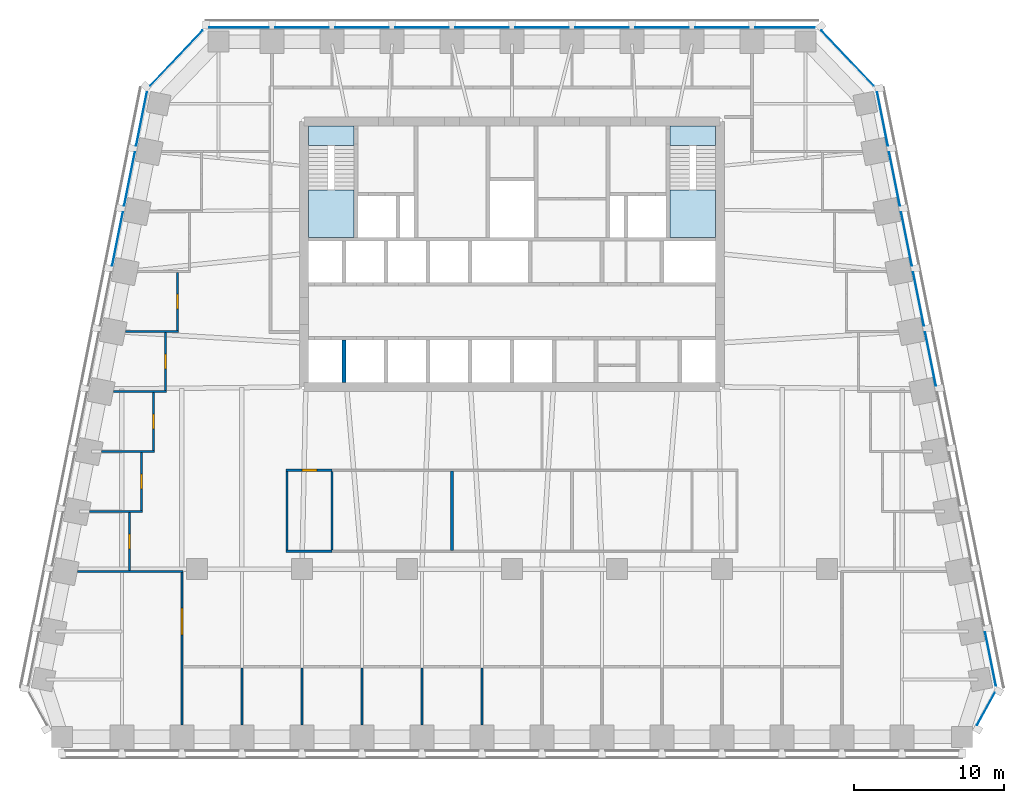
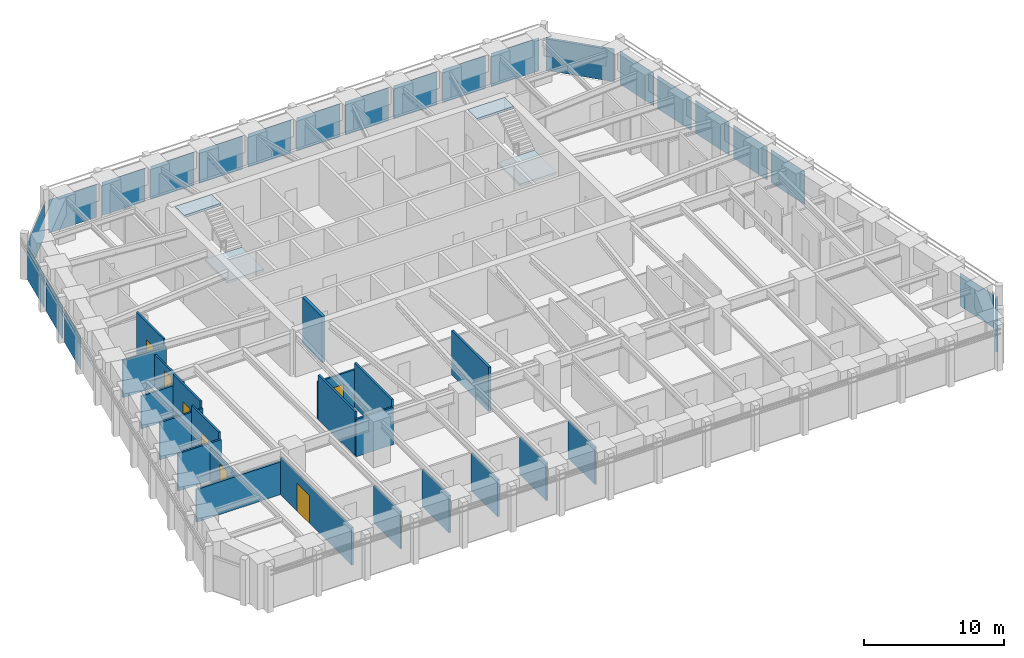
# One storey, part 5 of 11: 22 plates, 22 walls, 7 doors, 4 slabs, 7 openings, 8 elements without a shape of their own.
"""IFC4 building model written with IfcOpenShell, lengths in metres."""

from ifc_helpers import new_model, si_unit, direction, frame, frame_2d, origin, origin_2d, place, context, subcontext, project, spatial, polyline, rectangle, outline, extrude, material, layer, layer_set, type_object, element, fill, aggregate, save


model = new_model("IFC4")

# Units and contexts
model_context = context("Model", 3, precision=1e-05, world=origin(), true_north=direction((0.0, 1.0)))
body_context = subcontext(model_context, "Body", "Model", "MODEL_VIEW")
ifc_project = project(units=[si_unit("LENGTHUNIT", "METRE"), si_unit("AREAUNIT", "SQUARE_METRE"), si_unit("VOLUMEUNIT", "CUBIC_METRE"), si_unit("PLANEANGLEUNIT", "RADIAN"), si_unit("MASSUNIT", "GRAM", prefix="KILO")], contexts=[model_context])

# Site, building, storey
site_placement = place(None, origin())
site = spatial("IfcSite", under=ifc_project, at=site_placement, CompositionType="ELEMENT")
building_placement = place(site_placement, origin())
building = spatial("IfcBuilding", under=site, at=building_placement, Name="Isbrekke Arena Tower", CompositionType="ELEMENT")
storey_placement = place(building_placement, frame((0.0, 0.0, 210.0)))
storey = spatial("IfcBuildingStorey", under=building, at=storey_placement, Name="L48", CompositionType="ELEMENT", Elevation=210.0)

# Curtain wall, plate
ifc_material_1 = material(Name="Glazed aluminium curtain wall", Category="aluminium")
curtain_wall_type = type_object("IfcCurtainWallType", Name="CWH TOWER CURTAIN WALL HIGH ZONE", PredefinedType="USERDEFINED", material=ifc_material_1)
curtain_wall_1_placement = place(storey_placement, origin())
curtain_wall_1 = element("IfcCurtainWall", 1, at=curtain_wall_1_placement, inside=storey, type_object=curtain_wall_type, Name="CWH curtain wall L48-SE", ObjectType="TOWER CURTAIN WALL HIGH ZONE", PredefinedType="USERDEFINED")
ifc_material_2 = material(Name="Triple-glazed clear glass unit", Category="glass")
ifc_layer_1 = layer(ifc_material_2, 0.031982421875)
ifc_layer_set_1 = layer_set([ifc_layer_1], Name="CWH-P VISION PANEL")
plate_type = type_object("IfcPlateType", Name="CWH-P VISION PANEL", PredefinedType="CURTAIN_PANEL", material=ifc_layer_set_1)
plate_1_placement = place(storey_placement, frame((31.5908203125, -15.3154296875, 0.02001953125), z_axis=(0.0, 0.0, 1.0), x_axis=(0.481918749773, 0.876215908676, 0.0)))
plate_1 = element("IfcPlate", 2, at=plate_1_placement, type_object=plate_type, Name="CWH-P panel 1", PredefinedType="CURTAIN_PANEL", context=body_context, shape_type="SweptSolid", body=[
    extrude(rectangle(XDim=2.4423828125, YDim=0.031982421875, at=origin_2d()), origin(), (0.0, 0.0, 1.0), 2.8798828125),
])
aggregate(curtain_wall_1, [plate_1])

# Curtain wall, plates
curtain_wall_2_placement = place(storey_placement, origin())
curtain_wall_2 = element("IfcCurtainWall", 3, at=curtain_wall_2_placement, inside=storey, type_object=curtain_wall_type, Name="CWH curtain wall L48-E", ObjectType="TOWER CURTAIN WALL HIGH ZONE", PredefinedType="USERDEFINED")
plate_2_placement = place(storey_placement, frame((31.89794921875, -11.98046875, 0.02001953125), z_axis=(0.0, 0.0, 1.0), x_axis=(-0.196116135138, 0.980580675691, 0.0)))
plate_2 = element("IfcPlate", 4, at=plate_2_placement, type_object=plate_type, Name="CWH-P panel 1", PredefinedType="CURTAIN_PANEL", context=body_context, shape_type="SweptSolid", body=[
    extrude(rectangle(XDim=3.629150390625, YDim=0.031982421875, at=origin_2d()), origin(), (0.0, 0.0, 1.0), 2.8798828125),
])
plate_3_placement = place(storey_placement, frame((27.89794921875, 8.01953125, 0.02001953125), z_axis=(0.0, 0.0, 1.0), x_axis=(-0.196116135138, 0.980580675691, 0.0)))
plate_3 = element("IfcPlate", 5, at=plate_3_placement, type_object=plate_type, Name="CWH-P panel 6", PredefinedType="CURTAIN_PANEL", context=body_context, shape_type="SweptSolid", body=[
    extrude(rectangle(XDim=3.629150390625, YDim=0.031982421875, at=origin_2d()), origin(), (0.0, 0.0, 1.0), 2.8798828125),
])
plate_4_placement = place(storey_placement, frame((27.09814453125, 12.01953125, 0.02001953125), z_axis=(0.0, 0.0, 1.0), x_axis=(-0.196116135138, 0.980580675691, 0.0)))
plate_4 = element("IfcPlate", 6, at=plate_4_placement, type_object=plate_type, Name="CWH-P panel 7", PredefinedType="CURTAIN_PANEL", context=body_context, shape_type="SweptSolid", body=[
    extrude(rectangle(XDim=3.629150390625, YDim=0.031982421875, at=origin_2d()), origin(), (0.0, 0.0, 1.0), 2.8798828125),
])
plate_5_placement = place(storey_placement, frame((26.298095703125, 16.01953125, 0.02001953125), z_axis=(0.0, 0.0, 1.0), x_axis=(-0.196116135138, 0.980580675691, 0.0)))
plate_5 = element("IfcPlate", 7, at=plate_5_placement, type_object=plate_type, Name="CWH-P panel 8", PredefinedType="CURTAIN_PANEL", context=body_context, shape_type="SweptSolid", body=[
    extrude(rectangle(XDim=3.629150390625, YDim=0.031982421875, at=origin_2d()), origin(), (0.0, 0.0, 1.0), 2.8798828125),
])
plate_6_placement = place(storey_placement, frame((25.498046875, 20.01953125, 0.02001953125), z_axis=(0.0, 0.0, 1.0), x_axis=(-0.196116135138, 0.980580675691, 0.0)))
plate_6 = element("IfcPlate", 8, at=plate_6_placement, type_object=plate_type, Name="CWH-P panel 9", PredefinedType="CURTAIN_PANEL", context=body_context, shape_type="SweptSolid", body=[
    extrude(rectangle(XDim=3.629150390625, YDim=0.031982421875, at=origin_2d()), origin(), (0.0, 0.0, 1.0), 2.8798828125),
])
plate_7_placement = place(storey_placement, frame((24.697998046875, 24.01953125, 0.02001953125), z_axis=(0.0, 0.0, 1.0), x_axis=(-0.196116135138, 0.980580675691, 0.0)))
plate_7 = element("IfcPlate", 9, at=plate_7_placement, type_object=plate_type, Name="CWH-P panel 10", PredefinedType="CURTAIN_PANEL", context=body_context, shape_type="SweptSolid", body=[
    extrude(rectangle(XDim=3.629150390625, YDim=0.031982421875, at=origin_2d()), origin(), (0.0, 0.0, 1.0), 2.8798828125),
])
aggregate(curtain_wall_2, [plate_2, plate_3, plate_4, plate_5, plate_6, plate_7])

# Curtain wall, plate
curtain_wall_3_placement = place(storey_placement, origin())
curtain_wall_3 = element("IfcCurtainWall", 10, at=curtain_wall_3_placement, inside=storey, type_object=curtain_wall_type, Name="CWH curtain wall L48-EN", ObjectType="TOWER CURTAIN WALL HIGH ZONE", PredefinedType="USERDEFINED")
plate_8_placement = place(storey_placement, frame((22.37255859375, 28.06884765625, 0.02001953125), z_axis=(0.0, 0.0, 1.0), x_axis=(-0.68874946192, 0.72499943359, 0.0)))
plate_8 = element("IfcPlate", 11, at=plate_8_placement, type_object=plate_type, Name="CWH-P panel 1", PredefinedType="CURTAIN_PANEL", context=body_context, shape_type="SweptSolid", body=[
    extrude(rectangle(XDim=5.067138671875, YDim=0.031982421875, at=origin_2d()), origin(), (0.0, 0.0, 1.0), 2.8798828125),
])
aggregate(curtain_wall_3, [plate_8])

# Curtain wall, plates
curtain_wall_4_placement = place(storey_placement, origin())
curtain_wall_4 = element("IfcCurtainWall", 12, at=curtain_wall_4_placement, inside=storey, type_object=curtain_wall_type, Name="CWH curtain wall L48-N", ObjectType="TOWER CURTAIN WALL HIGH ZONE", PredefinedType="USERDEFINED")
plate_9_placement = place(storey_placement, frame((18.199951171875, 30.10009765625, 0.02001953125), z_axis=(0.0, 0.0, 1.0), x_axis=(-1.0, 0.0, 0.0)))
plate_9 = element("IfcPlate", 13, at=plate_9_placement, type_object=plate_type, Name="CWH-P panel 1", PredefinedType="CURTAIN_PANEL", context=body_context, shape_type="SweptSolid", body=[
    extrude(rectangle(XDim=3.949951171875, YDim=0.031982421875, at=origin_2d()), origin(), (0.0, 0.0, 1.0), 2.8798828125),
])
plate_10_placement = place(storey_placement, frame((14.0, 30.10009765625, 0.02001953125), z_axis=(0.0, 0.0, 1.0), x_axis=(-1.0, 0.0, 0.0)))
plate_10 = element("IfcPlate", 14, at=plate_10_placement, type_object=plate_type, Name="CWH-P panel 2", PredefinedType="CURTAIN_PANEL", context=body_context, shape_type="SweptSolid", body=[
    extrude(rectangle(XDim=3.550048828125, YDim=0.031982421875, at=origin_2d()), origin(), (0.0, 0.0, 1.0), 2.8798828125),
])
plate_11_placement = place(storey_placement, frame((10.0, 30.10009765625, 0.02001953125), z_axis=(0.0, 0.0, 1.0), x_axis=(-1.0, 0.0, 0.0)))
plate_11 = element("IfcPlate", 15, at=plate_11_placement, type_object=plate_type, Name="CWH-P panel 3", PredefinedType="CURTAIN_PANEL", context=body_context, shape_type="SweptSolid", body=[
    extrude(rectangle(XDim=3.550048828125, YDim=0.031982421875, at=origin_2d()), origin(), (0.0, 0.0, 1.0), 2.8798828125),
])
plate_12_placement = place(storey_placement, frame((6.0, 30.10009765625, 0.02001953125), z_axis=(0.0, 0.0, 1.0), x_axis=(-1.0, 0.0, 0.0)))
plate_12 = element("IfcPlate", 16, at=plate_12_placement, type_object=plate_type, Name="CWH-P panel 4", PredefinedType="CURTAIN_PANEL", context=body_context, shape_type="SweptSolid", body=[
    extrude(rectangle(XDim=3.550048828125, YDim=0.031982421875, at=origin_2d()), origin(), (0.0, 0.0, 1.0), 2.8798828125),
])
plate_13_placement = place(storey_placement, frame((2.0, 30.10009765625, 0.02001953125), z_axis=(0.0, 0.0, 1.0), x_axis=(-1.0, 0.0, 0.0)))
plate_13 = element("IfcPlate", 17, at=plate_13_placement, type_object=plate_type, Name="CWH-P panel 5", PredefinedType="CURTAIN_PANEL", context=body_context, shape_type="SweptSolid", body=[
    extrude(rectangle(XDim=3.550048828125, YDim=0.031982421875, at=origin_2d()), origin(), (0.0, 0.0, 1.0), 2.8798828125),
])
plate_14_placement = place(storey_placement, frame((-2.0, 30.10009765625, 0.02001953125), z_axis=(0.0, 0.0, 1.0), x_axis=(-1.0, 0.0, 0.0)))
plate_14 = element("IfcPlate", 18, at=plate_14_placement, type_object=plate_type, Name="CWH-P panel 6", PredefinedType="CURTAIN_PANEL", context=body_context, shape_type="SweptSolid", body=[
    extrude(rectangle(XDim=3.550048828125, YDim=0.031982421875, at=origin_2d()), origin(), (0.0, 0.0, 1.0), 2.8798828125),
])
plate_15_placement = place(storey_placement, frame((-6.0, 30.10009765625, 0.02001953125), z_axis=(0.0, 0.0, 1.0), x_axis=(-1.0, 0.0, 0.0)))
plate_15 = element("IfcPlate", 19, at=plate_15_placement, type_object=plate_type, Name="CWH-P panel 7", PredefinedType="CURTAIN_PANEL", context=body_context, shape_type="SweptSolid", body=[
    extrude(rectangle(XDim=3.550048828125, YDim=0.031982421875, at=origin_2d()), origin(), (0.0, 0.0, 1.0), 2.8798828125),
])
plate_16_placement = place(storey_placement, frame((-10.0, 30.10009765625, 0.02001953125), z_axis=(0.0, 0.0, 1.0), x_axis=(-1.0, 0.0, 0.0)))
plate_16 = element("IfcPlate", 20, at=plate_16_placement, type_object=plate_type, Name="CWH-P panel 8", PredefinedType="CURTAIN_PANEL", context=body_context, shape_type="SweptSolid", body=[
    extrude(rectangle(XDim=3.550048828125, YDim=0.031982421875, at=origin_2d()), origin(), (0.0, 0.0, 1.0), 2.8798828125),
])
plate_17_placement = place(storey_placement, frame((-14.0, 30.10009765625, 0.02001953125), z_axis=(0.0, 0.0, 1.0), x_axis=(-1.0, 0.0, 0.0)))
plate_17 = element("IfcPlate", 21, at=plate_17_placement, type_object=plate_type, Name="CWH-P panel 9", PredefinedType="CURTAIN_PANEL", context=body_context, shape_type="SweptSolid", body=[
    extrude(rectangle(XDim=3.550048828125, YDim=0.031982421875, at=origin_2d()), origin(), (0.0, 0.0, 1.0), 2.8798828125),
])
plate_18_placement = place(storey_placement, frame((-18.199951171875, 30.10009765625, 0.02001953125), z_axis=(0.0, 0.0, 1.0), x_axis=(-1.0, 0.0, 0.0)))
plate_18 = element("IfcPlate", 22, at=plate_18_placement, type_object=plate_type, Name="CWH-P panel 10", PredefinedType="CURTAIN_PANEL", context=body_context, shape_type="SweptSolid", body=[
    extrude(rectangle(XDim=3.949951171875, YDim=0.031982421875, at=origin_2d()), origin(), (0.0, 0.0, 1.0), 2.8798828125),
])
aggregate(curtain_wall_4, [plate_9, plate_10, plate_11, plate_12, plate_13, plate_14, plate_15, plate_16, plate_17, plate_18])

# Curtain wall, plate
curtain_wall_5_placement = place(storey_placement, origin())
curtain_wall_5 = element("IfcCurtainWall", 23, at=curtain_wall_5_placement, inside=storey, type_object=curtain_wall_type, Name="CWH curtain wall L48-NW", ObjectType="TOWER CURTAIN WALL HIGH ZONE", PredefinedType="USERDEFINED")
plate_19_placement = place(storey_placement, frame((-22.37255859375, 28.06884765625, 0.02001953125), z_axis=(0.0, 0.0, 1.0), x_axis=(-0.68874946192, -0.72499943359, 0.0)))
plate_19 = element("IfcPlate", 24, at=plate_19_placement, type_object=plate_type, Name="CWH-P panel 1", PredefinedType="CURTAIN_PANEL", context=body_context, shape_type="SweptSolid", body=[
    extrude(rectangle(XDim=5.067138671875, YDim=0.031982421875, at=origin_2d()), origin(), (0.0, 0.0, 1.0), 2.8798828125),
])
aggregate(curtain_wall_5, [plate_19])

# Curtain wall, plates
curtain_wall_6_placement = place(storey_placement, origin())
curtain_wall_6 = element("IfcCurtainWall", 25, at=curtain_wall_6_placement, inside=storey, type_object=curtain_wall_type, Name="CWH curtain wall L48-W", ObjectType="TOWER CURTAIN WALL HIGH ZONE", PredefinedType="USERDEFINED")
plate_20_placement = place(storey_placement, frame((-24.697998046875, 24.01953125, 0.02001953125), z_axis=(0.0, 0.0, 1.0), x_axis=(-0.196116135138, -0.980580675691, 0.0)))
plate_20 = element("IfcPlate", 26, at=plate_20_placement, type_object=plate_type, Name="CWH-P panel 1", PredefinedType="CURTAIN_PANEL", context=body_context, shape_type="SweptSolid", body=[
    extrude(rectangle(XDim=3.629150390625, YDim=0.031982421875, at=origin_2d()), origin(), (0.0, 0.0, 1.0), 2.8798828125),
])
plate_21_placement = place(storey_placement, frame((-25.498046875, 20.01953125, 0.02001953125), z_axis=(0.0, 0.0, 1.0), x_axis=(-0.196116135138, -0.980580675691, 0.0)))
plate_21 = element("IfcPlate", 27, at=plate_21_placement, type_object=plate_type, Name="CWH-P panel 2", PredefinedType="CURTAIN_PANEL", context=body_context, shape_type="SweptSolid", body=[
    extrude(rectangle(XDim=3.629150390625, YDim=0.031982421875, at=origin_2d()), origin(), (0.0, 0.0, 1.0), 2.8798828125),
])
plate_22_placement = place(storey_placement, frame((-26.298095703125, 16.01953125, 0.02001953125), z_axis=(0.0, 0.0, 1.0), x_axis=(-0.196116135138, -0.980580675691, 0.0)))
plate_22 = element("IfcPlate", 28, at=plate_22_placement, type_object=plate_type, Name="CWH-P panel 3", PredefinedType="CURTAIN_PANEL", context=body_context, shape_type="SweptSolid", body=[
    extrude(rectangle(XDim=3.629150390625, YDim=0.031982421875, at=origin_2d()), origin(), (0.0, 0.0, 1.0), 2.8798828125),
])
aggregate(curtain_wall_6, [plate_20, plate_21, plate_22])

# Stair, slabs
ifc_material_3 = material(Name="Concrete B45 (C45/55) precast", Category="concrete")
stair_type = type_object("IfcStairType", Name="ST40 STAIR 1300 WIDE, 24 RISERS 167", PredefinedType="HALF_TURN_STAIR", material=ifc_material_3)
stair_1_placement = place(storey_placement, origin())
stair_1 = element("IfcStair", 29, at=stair_1_placement, inside=storey, type_object=stair_type, Name="ST1 stair L48", PredefinedType="HALF_TURN_STAIR")
ifc_material_4 = material(Name="Concrete B35 (C35/45)", Category="concrete")
ifc_layer_2 = layer(ifc_material_4, 0.199951171875)
ifc_layer_set_2 = layer_set([ifc_layer_2], Name="SL1 STAIR LANDING 200")
slab_type = type_object("IfcSlabType", Name="SL1 STAIR LANDING 200", PredefinedType="LANDING", material=ifc_layer_set_2)
slab_1_placement = place(storey_placement, frame((0.0, 0.0, 1.800048828125)))
slab_1 = element("IfcSlab", 30, at=slab_1_placement, type_object=slab_type, Name="ST1 landing 1", PredefinedType="LANDING", context=body_context, shape_type="SweptSolid", body=[
    extrude(outline(polyline([(-13.550048828125, 16.125), (-10.52490234375, 16.125), (-10.52490234375, 19.280029296875), (-13.550048828125, 19.280029296875), (-13.550048828125, 16.125)])), origin(), (0.0, 0.0, 1.0), 0.199951171875),
])
slab_2_placement = place(storey_placement, frame((0.0, 0.0, 3.800048828125)))
slab_2 = element("IfcSlab", 31, at=slab_2_placement, type_object=slab_type, Name="ST1 landing 2", PredefinedType="LANDING", context=body_context, shape_type="SweptSolid", body=[
    extrude(outline(polyline([(-13.550048828125, 22.25), (-10.52490234375, 22.25), (-10.52490234375, 23.550048828125), (-13.550048828125, 23.550048828125), (-13.550048828125, 22.25)])), origin(), (0.0, 0.0, 1.0), 0.199951171875),
])
aggregate(stair_1, [slab_1, slab_2])

stair_2_placement = place(storey_placement, origin())
stair_2 = element("IfcStair", 32, at=stair_2_placement, inside=storey, type_object=stair_type, Name="ST2 stair L48", PredefinedType="HALF_TURN_STAIR")
slab_3_placement = place(storey_placement, frame((0.0, 0.0, 1.800048828125)))
slab_3 = element("IfcSlab", 33, at=slab_3_placement, type_object=slab_type, Name="ST2 landing 1", PredefinedType="LANDING", context=body_context, shape_type="SweptSolid", body=[
    extrude(outline(polyline([(10.52490234375, 16.125), (13.550048828125, 16.125), (13.550048828125, 19.280029296875), (10.52490234375, 19.280029296875), (10.52490234375, 16.125)])), origin(), (0.0, 0.0, 1.0), 0.199951171875),
])
slab_4_placement = place(storey_placement, frame((0.0, 0.0, 3.800048828125)))
slab_4 = element("IfcSlab", 34, at=slab_4_placement, type_object=slab_type, Name="ST2 landing 2", PredefinedType="LANDING", context=body_context, shape_type="SweptSolid", body=[
    extrude(outline(polyline([(10.52490234375, 22.25), (13.550048828125, 22.25), (13.550048828125, 23.550048828125), (10.52490234375, 23.550048828125), (10.52490234375, 22.25)])), origin(), (0.0, 0.0, 1.0), 0.199951171875),
])
aggregate(stair_2, [slab_3, slab_4])

# Walls
ifc_material_5 = material(Name="Concrete B45 (C45/55)", Category="concrete")
ifc_layer_3 = layer(ifc_material_5, 0.25)
ifc_layer_set_3 = layer_set([ifc_layer_3], Name="CW6 SHAFT WALL 250")
wall_type_1 = type_object("IfcWallType", Name="CW6 SHAFT WALL 250", PredefinedType="SHEAR", material=ifc_layer_set_3)
wall_1_placement = place(storey_placement, frame((-11.199951171875, 6.449951171875, 0.0), z_axis=(0.0, 0.0, 1.0), x_axis=(0.0, 1.0, 0.0)))
element("IfcWall", 35, at=wall_1_placement, inside=storey, type_object=wall_type_1, Name="Core wall SS01 L48", PredefinedType="SHEAR", context=body_context, shape_type="SweptSolid", body=[
    extrude(rectangle(XDim=2.824951171875, YDim=0.25, at=frame_2d((1.41259765625, 0.0))), origin(), (0.0, 0.0, 1.0), 4.0),
])
ifc_material_6 = material(Name="Gypsum board partition on steel studs", Category="steel")
ifc_layer_4 = layer(ifc_material_6, 0.14990234375)
ifc_layer_set_4 = layer_set([ifc_layer_4], Name="IW1 PARTITION 150")
wall_type_2 = type_object("IfcWallType", Name="IW1 PARTITION 150", PredefinedType="PARTITIONING", material=ifc_layer_set_4)
wall_2_placement = place(storey_placement, frame((-28.974853515625, -6.159912109375, 0.0), z_axis=(0.0, 0.0, 1.0), x_axis=(1.0, 0.0, 0.0)))
element("IfcWall", 36, at=wall_2_placement, inside=storey, type_object=wall_type_2, Name="IW1 partition 150 L48", PredefinedType="PARTITIONING", context=body_context, shape_type="SweptSolid", body=[
    extrude(rectangle(XDim=7.0498046875, YDim=0.14990234375, at=frame_2d((3.52490234375, 0.0))), origin(), (0.0, 0.0, 1.0), 2.842041015625),
])
wall_3_placement = place(storey_placement, frame((-15.074951171875, -4.800048828125, 0.0), z_axis=(0.0, 0.0, 1.0), x_axis=(1.0, 0.0, 0.0)))
element("IfcWall", 37, at=wall_3_placement, inside=storey, type_object=wall_type_2, Name="IW1 partition 150 L48", PredefinedType="PARTITIONING", context=body_context, shape_type="SweptSolid", body=[
    extrude(rectangle(XDim=3.074951171875, YDim=0.14990234375, at=frame_2d((1.53759765625, 0.0))), origin(), (0.0, 0.0, 1.0), 3.25),
])
wall_4_placement = place(storey_placement, frame((-28.1748046875, -2.159912109375, 0.0), z_axis=(0.0, 0.0, 1.0), x_axis=(1.0, 0.0, 0.0)))
element("IfcWall", 38, at=wall_4_placement, inside=storey, type_object=wall_type_2, Name="IW1 partition 150 L48", PredefinedType="PARTITIONING", context=body_context, shape_type="SweptSolid", body=[
    extrude(rectangle(XDim=3.5498046875, YDim=0.14990234375, at=frame_2d((1.77490234375, 0.0))), origin(), (0.0, 0.0, 1.0), 3.25),
])

# Wall, opening, door
wall_5_placement = place(storey_placement, frame((-15.074951171875, 0.60009765625, 0.0), z_axis=(0.0, 0.0, 1.0), x_axis=(1.0, 0.0, 0.0)))
wall_5 = element("IfcWall", 39, at=wall_5_placement, inside=storey, type_object=wall_type_2, Name="IW1 partition 150 L48", PredefinedType="PARTITIONING", context=body_context, shape_type="SweptSolid", body=[
    extrude(rectangle(XDim=3.074951171875, YDim=0.14990234375, at=frame_2d((1.53759765625, 0.0))), origin(), (0.0, 0.0, 1.0), 3.25),
])
opening_1_placement = place(wall_5_placement, frame((1.074951171875, 0.0, 0.0)))
opening_1 = element("IfcOpeningElement", 40, at=opening_1_placement, cuts=wall_5, Name="Opening D10", PredefinedType="OPENING", context=body_context, shape_type="SweptSolid", body=[
    extrude(rectangle(XDim=1.0, YDim=2.300048828125, at=frame_2d((0.5, 1.14990234375))), frame((0.0, 0.08984375, 0.0), z_axis=(0.0, -1.0, 0.0), x_axis=(1.0, 0.0, 0.0)), (0.0, 0.0, 1.0), 0.1796875),
])
ifc_material_7 = material(Name="Timber door", Category="wood")
door_type_1 = type_object("IfcDoorType", Name="D10 OFFICE DOOR 1000 x 2300", OperationType="SINGLE_SWING_LEFT", PredefinedType="DOOR", material=ifc_material_7)
door_1_placement = place(opening_1_placement, origin())
door_1 = element("IfcDoor", 41, at=door_1_placement, inside=storey, type_object=door_type_1, Name="D10 pantry door L48", OperationType="SINGLE_SWING_LEFT", OverallHeight=2.300048828125, OverallWidth=1.0, PredefinedType="DOOR", context=body_context, shape_type="SweptSolid", body=[
    extrude(rectangle(XDim=1.0, YDim=2.300048828125, at=frame_2d((0.5, 1.14990234375))), frame((0.0, 0.07470703125, 0.0), z_axis=(0.0, -1.0, 0.0), x_axis=(1.0, 0.0, 0.0)), (0.0, 0.0, 1.0), 0.1494140625),
])
fill(opening_1, door_1)

# Walls
wall_6_placement = place(storey_placement, frame((-27.374755859375, 1.840087890625, 0.0), z_axis=(0.0, 0.0, 1.0), x_axis=(1.0, 0.0, 0.0)))
element("IfcWall", 42, at=wall_6_placement, inside=storey, type_object=wall_type_2, Name="IW1 partition 150 L48", PredefinedType="PARTITIONING", context=body_context, shape_type="SweptSolid", body=[
    extrude(rectangle(XDim=3.5498046875, YDim=0.14990234375, at=frame_2d((1.77490234375, 0.0))), origin(), (0.0, 0.0, 1.0), 3.25),
])
wall_7_placement = place(storey_placement, frame((-26.57470703125, 5.840087890625, 0.0), z_axis=(0.0, 0.0, 1.0), x_axis=(1.0, 0.0, 0.0)))
element("IfcWall", 43, at=wall_7_placement, inside=storey, type_object=wall_type_2, Name="IW1 partition 150 L48", PredefinedType="PARTITIONING", context=body_context, shape_type="SweptSolid", body=[
    extrude(rectangle(XDim=3.5498046875, YDim=0.14990234375, at=frame_2d((1.77490234375, 0.0))), origin(), (0.0, 0.0, 1.0), 2.842041015625),
])
wall_8_placement = place(storey_placement, frame((-25.77490234375, 9.840087890625, 0.0), z_axis=(0.0, 0.0, 1.0), x_axis=(1.0, 0.0, 0.0)))
element("IfcWall", 44, at=wall_8_placement, inside=storey, type_object=wall_type_2, Name="IW1 partition 150 L48", PredefinedType="PARTITIONING", context=body_context, shape_type="SweptSolid", body=[
    extrude(rectangle(XDim=3.5498046875, YDim=0.14990234375, at=frame_2d((1.77490234375, 0.0))), origin(), (0.0, 0.0, 1.0), 3.25),
])

# Wall, opening, door
wall_9_placement = place(storey_placement, frame((-25.5, -6.0849609375, 0.0), z_axis=(0.0, 0.0, 1.0), x_axis=(0.0, 1.0, 0.0)))
wall_9 = element("IfcWall", 45, at=wall_9_placement, inside=storey, type_object=wall_type_2, Name="IW1 partition 150 L48", PredefinedType="PARTITIONING", context=body_context, shape_type="SweptSolid", body=[
    extrude(rectangle(XDim=3.849853515625, YDim=0.14990234375, at=frame_2d((1.9248046875, 0.0))), origin(), (0.0, 0.0, 1.0), 2.842041015625),
])
opening_2_placement = place(wall_9_placement, frame((1.425048828125, 0.0, 0.0)))
opening_2 = element("IfcOpeningElement", 46, at=opening_2_placement, cuts=wall_9, Name="Opening D10", PredefinedType="OPENING", context=body_context, shape_type="SweptSolid", body=[
    extrude(rectangle(XDim=1.0, YDim=2.300048828125, at=frame_2d((0.5, 1.14990234375))), frame((0.0, 0.08984375, 0.0), z_axis=(0.0, -1.0, 0.0), x_axis=(1.0, 0.0, 0.0)), (0.0, 0.0, 1.0), 0.1796875),
])
door_2_placement = place(opening_2_placement, origin())
door_2 = element("IfcDoor", 47, at=door_2_placement, inside=storey, type_object=door_type_1, Name="D10 office door L48", OperationType="SINGLE_SWING_LEFT", OverallHeight=2.300048828125, OverallWidth=1.0, PredefinedType="DOOR", context=body_context, shape_type="SweptSolid", body=[
    extrude(rectangle(XDim=1.0, YDim=2.300048828125, at=frame_2d((0.5, 1.14990234375))), frame((0.0, 0.07470703125, 0.0), z_axis=(0.0, -1.0, 0.0), x_axis=(1.0, 0.0, 0.0)), (0.0, 0.0, 1.0), 0.1494140625),
])
fill(opening_2, door_2)

wall_10_placement = place(storey_placement, frame((-24.699951171875, -2.0849609375, 0.0), z_axis=(0.0, 0.0, 1.0), x_axis=(0.0, 1.0, 0.0)))
wall_10 = element("IfcWall", 48, at=wall_10_placement, inside=storey, type_object=wall_type_2, Name="IW1 partition 150 L48", PredefinedType="PARTITIONING", context=body_context, shape_type="SweptSolid", body=[
    extrude(rectangle(XDim=3.849853515625, YDim=0.14990234375, at=frame_2d((1.9248046875, 0.0))), origin(), (0.0, 0.0, 1.0), 3.85009765625),
])
opening_3_placement = place(wall_10_placement, frame((1.425048828125, 0.0, 0.0)))
opening_3 = element("IfcOpeningElement", 49, at=opening_3_placement, cuts=wall_10, Name="Opening D10", PredefinedType="OPENING", context=body_context, shape_type="SweptSolid", body=[
    extrude(rectangle(XDim=1.0, YDim=2.300048828125, at=frame_2d((0.5, 1.14990234375))), frame((0.0, 0.08984375, 0.0), z_axis=(0.0, -1.0, 0.0), x_axis=(1.0, 0.0, 0.0)), (0.0, 0.0, 1.0), 0.1796875),
])
door_3_placement = place(opening_3_placement, origin())
door_3 = element("IfcDoor", 50, at=door_3_placement, inside=storey, type_object=door_type_1, Name="D10 office door L48", OperationType="SINGLE_SWING_LEFT", OverallHeight=2.300048828125, OverallWidth=1.0, PredefinedType="DOOR", context=body_context, shape_type="SweptSolid", body=[
    extrude(rectangle(XDim=1.0, YDim=2.300048828125, at=frame_2d((0.5, 1.14990234375))), frame((0.0, 0.07470703125, 0.0), z_axis=(0.0, -1.0, 0.0), x_axis=(1.0, 0.0, 0.0)), (0.0, 0.0, 1.0), 0.1494140625),
])
fill(opening_3, door_3)

wall_11_placement = place(storey_placement, frame((-23.89990234375, 1.9150390625, 0.0), z_axis=(0.0, 0.0, 1.0), x_axis=(0.0, 1.0, 0.0)))
wall_11 = element("IfcWall", 51, at=wall_11_placement, inside=storey, type_object=wall_type_2, Name="IW1 partition 150 L48", PredefinedType="PARTITIONING", context=body_context, shape_type="SweptSolid", body=[
    extrude(rectangle(XDim=3.849853515625, YDim=0.14990234375, at=frame_2d((1.9248046875, 0.0))), origin(), (0.0, 0.0, 1.0), 3.85009765625),
])
opening_4_placement = place(wall_11_placement, frame((1.425048828125, 0.0, 0.0)))
opening_4 = element("IfcOpeningElement", 52, at=opening_4_placement, cuts=wall_11, Name="Opening D10", PredefinedType="OPENING", context=body_context, shape_type="SweptSolid", body=[
    extrude(rectangle(XDim=1.0, YDim=2.300048828125, at=frame_2d((0.5, 1.14990234375))), frame((0.0, 0.08984375, 0.0), z_axis=(0.0, -1.0, 0.0), x_axis=(1.0, 0.0, 0.0)), (0.0, 0.0, 1.0), 0.1796875),
])
door_4_placement = place(opening_4_placement, origin())
door_4 = element("IfcDoor", 53, at=door_4_placement, inside=storey, type_object=door_type_1, Name="D10 office door L48", OperationType="SINGLE_SWING_LEFT", OverallHeight=2.300048828125, OverallWidth=1.0, PredefinedType="DOOR", context=body_context, shape_type="SweptSolid", body=[
    extrude(rectangle(XDim=1.0, YDim=2.300048828125, at=frame_2d((0.5, 1.14990234375))), frame((0.0, 0.07470703125, 0.0), z_axis=(0.0, -1.0, 0.0), x_axis=(1.0, 0.0, 0.0)), (0.0, 0.0, 1.0), 0.1494140625),
])
fill(opening_4, door_4)

wall_12_placement = place(storey_placement, frame((-23.10009765625, 5.9150390625, 0.0), z_axis=(0.0, 0.0, 1.0), x_axis=(0.0, 1.0, 0.0)))
wall_12 = element("IfcWall", 54, at=wall_12_placement, inside=storey, type_object=wall_type_2, Name="IW1 partition 150 L48", PredefinedType="PARTITIONING", context=body_context, shape_type="SweptSolid", body=[
    extrude(rectangle(XDim=3.849853515625, YDim=0.14990234375, at=frame_2d((1.9248046875, 0.0))), origin(), (0.0, 0.0, 1.0), 2.842041015625),
])
opening_5_placement = place(wall_12_placement, frame((1.425048828125, 0.0, 0.0)))
opening_5 = element("IfcOpeningElement", 55, at=opening_5_placement, cuts=wall_12, Name="Opening D10", PredefinedType="OPENING", context=body_context, shape_type="SweptSolid", body=[
    extrude(rectangle(XDim=1.0, YDim=2.300048828125, at=frame_2d((0.5, 1.14990234375))), frame((0.0, 0.08984375, 0.0), z_axis=(0.0, -1.0, 0.0), x_axis=(1.0, 0.0, 0.0)), (0.0, 0.0, 1.0), 0.1796875),
])
door_5_placement = place(opening_5_placement, origin())
door_5 = element("IfcDoor", 56, at=door_5_placement, inside=storey, type_object=door_type_1, Name="D10 office door L48", OperationType="SINGLE_SWING_LEFT", OverallHeight=2.300048828125, OverallWidth=1.0, PredefinedType="DOOR", context=body_context, shape_type="SweptSolid", body=[
    extrude(rectangle(XDim=1.0, YDim=2.300048828125, at=frame_2d((0.5, 1.14990234375))), frame((0.0, 0.07470703125, 0.0), z_axis=(0.0, -1.0, 0.0), x_axis=(1.0, 0.0, 0.0)), (0.0, 0.0, 1.0), 0.1494140625),
])
fill(opening_5, door_5)

wall_13_placement = place(storey_placement, frame((-22.300048828125, 9.9150390625, 0.0), z_axis=(0.0, 0.0, 1.0), x_axis=(0.0, 1.0, 0.0)))
wall_13 = element("IfcWall", 57, at=wall_13_placement, inside=storey, type_object=wall_type_2, Name="IW1 partition 150 L48", PredefinedType="PARTITIONING", context=body_context, shape_type="SweptSolid", body=[
    extrude(rectangle(XDim=3.849853515625, YDim=0.14990234375, at=frame_2d((1.9248046875, 0.0))), origin(), (0.0, 0.0, 1.0), 3.85009765625),
])
opening_6_placement = place(wall_13_placement, frame((1.425048828125, 0.0, 0.0)))
opening_6 = element("IfcOpeningElement", 58, at=opening_6_placement, cuts=wall_13, Name="Opening D10", PredefinedType="OPENING", context=body_context, shape_type="SweptSolid", body=[
    extrude(rectangle(XDim=1.0, YDim=2.300048828125, at=frame_2d((0.5, 1.14990234375))), frame((0.0, 0.08984375, 0.0), z_axis=(0.0, -1.0, 0.0), x_axis=(1.0, 0.0, 0.0)), (0.0, 0.0, 1.0), 0.1796875),
])
door_6_placement = place(opening_6_placement, origin())
door_6 = element("IfcDoor", 59, at=door_6_placement, inside=storey, type_object=door_type_1, Name="D10 office door L48", OperationType="SINGLE_SWING_LEFT", OverallHeight=2.300048828125, OverallWidth=1.0, PredefinedType="DOOR", context=body_context, shape_type="SweptSolid", body=[
    extrude(rectangle(XDim=1.0, YDim=2.300048828125, at=frame_2d((0.5, 1.14990234375))), frame((0.0, 0.07470703125, 0.0), z_axis=(0.0, -1.0, 0.0), x_axis=(1.0, 0.0, 0.0)), (0.0, 0.0, 1.0), 0.1494140625),
])
fill(opening_6, door_6)

wall_14_placement = place(storey_placement, frame((-22.0, -16.375, 0.0), z_axis=(0.0, 0.0, 1.0), x_axis=(0.0, 1.0, 0.0)))
wall_14 = element("IfcWall", 60, at=wall_14_placement, inside=storey, type_object=wall_type_2, Name="IW1 partition 150 L48", PredefinedType="PARTITIONING", context=body_context, shape_type="SweptSolid", body=[
    extrude(rectangle(XDim=10.139892578125, YDim=0.14990234375, at=frame_2d((5.06982421875, 0.0))), origin(), (0.0, 0.0, 1.0), 3.25),
])
opening_7_placement = place(wall_14_placement, frame((5.97509765625, 0.0, 0.0)))
opening_7 = element("IfcOpeningElement", 61, at=opening_7_placement, cuts=wall_14, Name="Opening D13", PredefinedType="OPENING", context=body_context, shape_type="SweptSolid", body=[
    extrude(rectangle(XDim=1.800048828125, YDim=2.39990234375, at=frame_2d((0.89990234375, 1.199951171875))), frame((0.0, 0.08984375, 0.0), z_axis=(0.0, -1.0, 0.0), x_axis=(1.0, 0.0, 0.0)), (0.0, 0.0, 1.0), 0.1796875),
])
ifc_material_8 = material(Name="Timber door pair", Category="wood")
door_type_2 = type_object("IfcDoorType", Name="D13 DOUBLE ROOM DOOR 1800 x 2400", OperationType="DOUBLE_DOOR_SINGLE_SWING", PredefinedType="DOOR", material=ifc_material_8)
door_7_placement = place(opening_7_placement, origin())
door_7 = element("IfcDoor", 62, at=door_7_placement, inside=storey, type_object=door_type_2, Name="D13 office door L48", OperationType="DOUBLE_DOOR_SINGLE_SWING", OverallHeight=2.39990234375, OverallWidth=1.800048828125, PredefinedType="DOOR", context=body_context, shape_type="SweptSolid", body=[
    extrude(rectangle(XDim=1.800048828125, YDim=2.39990234375, at=frame_2d((0.89990234375, 1.199951171875))), frame((0.0, 0.07470703125, 0.0), z_axis=(0.0, -1.0, 0.0), x_axis=(1.0, 0.0, 0.0)), (0.0, 0.0, 1.0), 0.1494140625),
])
fill(opening_7, door_7)

# Walls
wall_15_placement = place(storey_placement, frame((-18.0, -16.375, 0.0), z_axis=(0.0, 0.0, 1.0), x_axis=(0.0, 1.0, 0.0)))
element("IfcWall", 63, at=wall_15_placement, inside=storey, type_object=wall_type_2, Name="IW1 partition 150 L48", PredefinedType="PARTITIONING", context=body_context, shape_type="SweptSolid", body=[
    extrude(rectangle(XDim=3.800048828125, YDim=0.14990234375, at=frame_2d((1.89990234375, 0.0))), origin(), (0.0, 0.0, 1.0), 3.25),
])
wall_16_placement = place(storey_placement, frame((-15.0, -4.72509765625, 0.0), z_axis=(0.0, 0.0, 1.0), x_axis=(0.0, 1.0, 0.0)))
element("IfcWall", 64, at=wall_16_placement, inside=storey, type_object=wall_type_2, Name="IW1 partition 150 L48", PredefinedType="PARTITIONING", context=body_context, shape_type="SweptSolid", body=[
    extrude(rectangle(XDim=5.25, YDim=0.14990234375, at=frame_2d((2.625, 0.0))), origin(), (0.0, 0.0, 1.0), 3.85009765625),
])
wall_17_placement = place(storey_placement, frame((-14.0, -16.375, 0.0), z_axis=(0.0, 0.0, 1.0), x_axis=(0.0, 1.0, 0.0)))
element("IfcWall", 65, at=wall_17_placement, inside=storey, type_object=wall_type_2, Name="IW1 partition 150 L48", PredefinedType="PARTITIONING", context=body_context, shape_type="SweptSolid", body=[
    extrude(rectangle(XDim=3.800048828125, YDim=0.14990234375, at=frame_2d((1.89990234375, 0.0))), origin(), (0.0, 0.0, 1.0), 3.25),
])
wall_18_placement = place(storey_placement, frame((-12.0, -4.72509765625, 0.0), z_axis=(0.0, 0.0, 1.0), x_axis=(0.0, 1.0, 0.0)))
element("IfcWall", 66, at=wall_18_placement, inside=storey, type_object=wall_type_2, Name="IW1 partition 150 L48", PredefinedType="PARTITIONING", context=body_context, shape_type="SweptSolid", body=[
    extrude(rectangle(XDim=5.25, YDim=0.14990234375, at=frame_2d((2.625, 0.0))), origin(), (0.0, 0.0, 1.0), 3.85009765625),
])
for number, where, z_axis, x_axis, name in (
    (67, (-10.0, -16.375, 0.0), (0.0, 0.0, 1.0), (0.0, 1.0, 0.0), "IW1 partition 150 L48"),
    (68, (-6.0, -16.375, 0.0), (0.0, 0.0, 1.0), (0.0, 1.0, 0.0), "IW1 partition 150 L48"),
    (69, (-2.0, -16.375, 0.0), (0.0, 0.0, 1.0), (0.0, 1.0, 0.0), "IW1 partition 150 L48"),
):
    element("IfcWall", number, at=place(storey_placement, frame(where, z_axis=z_axis, x_axis=x_axis)), inside=storey, type_object=wall_type_2, Name=name, PredefinedType="PARTITIONING", context=body_context, shape_type="SweptSolid", body=[
        extrude(rectangle(XDim=3.800048828125, YDim=0.14990234375, at=frame_2d((1.89990234375, 0.0))), origin(), (0.0, 0.0, 1.0), 3.25),
    ])
ifc_material_9 = material(Name="Gypsum board acoustic partition on twin steel studs", Category="steel")
ifc_layer_5 = layer(ifc_material_9, 0.175048828125)
ifc_layer_set_5 = layer_set([ifc_layer_5], Name="IW4 ACOUSTIC PARTITION 175")
wall_type_3 = type_object("IfcWallType", Name="IW4 ACOUSTIC PARTITION 175", PredefinedType="PARTITIONING", material=ifc_layer_set_5)
wall_19_placement = place(storey_placement, frame((-4.0, -4.739990234375, 0.0), z_axis=(0.0, 0.0, 1.0), x_axis=(0.0, 1.0, 0.0)))
element("IfcWall", 70, at=wall_19_placement, inside=storey, type_object=wall_type_3, Name="IW4 acoustic partition 175 L48", PredefinedType="PARTITIONING", context=body_context, shape_type="SweptSolid", body=[
    extrude(rectangle(XDim=5.280029296875, YDim=0.175048828125, at=frame_2d((2.64013671875, 0.0))), origin(), (0.0, 0.0, 1.0), 3.85009765625),
])

save(model, "model.ifc")
